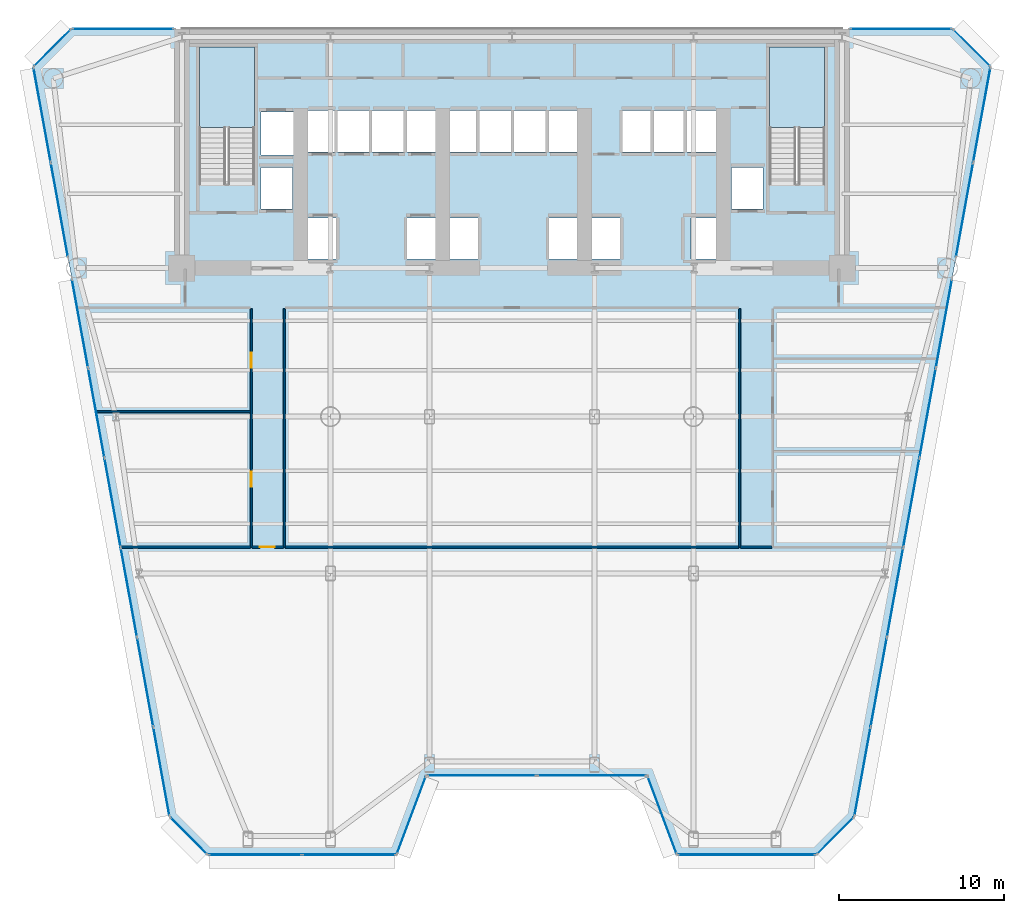
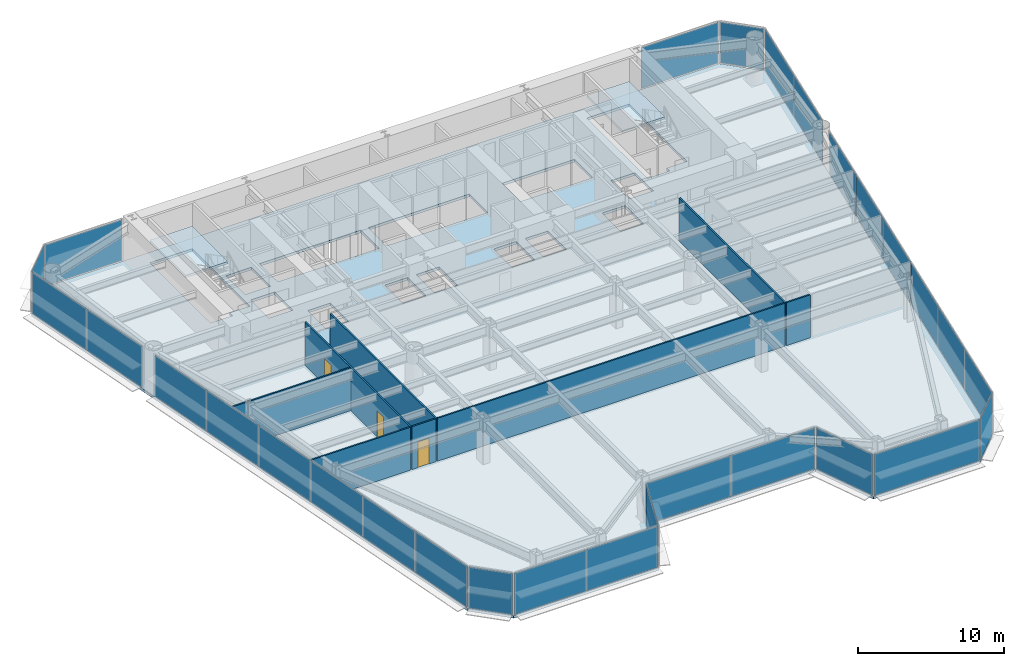
# One storey, part 7 of 14: 29 plates, 8 walls, 3 doors, 3 slabs, 3 openings, 17 elements without a shape of their own.
"""IFC4 building model written with IfcOpenShell, lengths in metres."""

from ifc_helpers import new_model, si_unit, direction, frame, frame_2d, origin, origin_2d, place, context, subcontext, project, spatial, polyline, rectangle, outline, extrude, source, transform, mapped, material, layer, layer_set, type_object, element, fill, aggregate, save


model = new_model("IFC4")

# Units and contexts
model_context = context("Model", 3, precision=1e-05, world=origin(), true_north=direction((0.0, 1.0)))
body_context = subcontext(model_context, "Body", "Model", "MODEL_VIEW")
ifc_project = project(units=[si_unit("LENGTHUNIT", "METRE"), si_unit("AREAUNIT", "SQUARE_METRE"), si_unit("VOLUMEUNIT", "CUBIC_METRE"), si_unit("PLANEANGLEUNIT", "RADIAN"), si_unit("MASSUNIT", "GRAM", prefix="KILO")], contexts=[model_context])

# Site, building, storey
site_placement = place(None, origin())
site = spatial("IfcSite", under=ifc_project, at=site_placement, CompositionType="ELEMENT")
building_placement = place(site_placement, origin())
building = spatial("IfcBuilding", under=site, at=building_placement, Name="Vaeldorn Concourse Tower", CompositionType="ELEMENT")
storey_placement = place(building_placement, frame((0.0, 0.0, 34.0)))
storey = spatial("IfcBuildingStorey", under=building, at=storey_placement, Name="L08", CompositionType="ELEMENT", Elevation=34.0)

# Stair, slab
ifc_material_1 = material(Name="Precast concrete C40/50", Category="concrete")
stair_type = type_object("IfcStairType", Name="STR-DOG-24x158", PredefinedType="HALF_TURN_STAIR", material=ifc_material_1)
stair_1_placement = place(storey_placement, origin())
stair_1 = element("IfcStair", 1, at=stair_1_placement, inside=storey, type_object=stair_type, Name="L08 West Core Exit Stair ST-1", PredefinedType="HALF_TURN_STAIR")
ifc_material_2 = material(Name="Concrete C40/50", Category="concrete")
ifc_layer_1 = layer(ifc_material_2, 0.199951171875)
ifc_layer_set_1 = layer_set([ifc_layer_1], Name="Concrete C40/50")
slab_type_1 = type_object("IfcSlabType", Name="SL-STAIR-LANDING", PredefinedType="LANDING", material=ifc_layer_set_1)
slab_1_placement = place(storey_placement, frame((0.0, 0.0, 1.699951171875)))
slab_1 = element("IfcSlab", 2, at=slab_1_placement, type_object=slab_type_1, Name="ST-1 landing 1", PredefinedType="LANDING", context=body_context, shape_type="SweptSolid", body=[
    extrude(outline(polyline([(18.39990234375, 45.010009765625), (18.39990234375, 49.89990234375), (15.050048828125, 49.89990234375), (15.050048828125, 45.010009765625), (18.39990234375, 45.010009765625)])), origin(), (0.0, 0.0, 1.0), 0.199951171875),
])
aggregate(stair_1, [slab_1])

stair_2_placement = place(storey_placement, origin())
stair_2 = element("IfcStair", 3, at=stair_2_placement, inside=storey, type_object=stair_type, Name="L08 East Core Exit Stair ST-2", PredefinedType="HALF_TURN_STAIR")
slab_2_placement = place(storey_placement, frame((0.0, 0.0, 1.699951171875)))
slab_2 = element("IfcSlab", 4, at=slab_2_placement, type_object=slab_type_1, Name="ST-2 landing 1", PredefinedType="LANDING", context=body_context, shape_type="SweptSolid", body=[
    extrude(outline(polyline([(52.949951171875, 45.010009765625), (52.949951171875, 49.89990234375), (49.60009765625, 49.89990234375), (49.60009765625, 45.010009765625), (52.949951171875, 45.010009765625)])), origin(), (0.0, 0.0, 1.0), 0.199951171875),
])
aggregate(stair_2, [slab_2])

# Slab
ifc_layer_2 = layer(ifc_material_2, 0.219970703125)
ifc_layer_set_2 = layer_set([ifc_layer_2], Name="Concrete C40/50")
slab_type_2 = type_object("IfcSlabType", Name="SL-TYP-220", PredefinedType="FLOOR", material=ifc_layer_set_2)
slab_3_placement = place(storey_placement, frame((0.0, 0.0, -0.219970703125)))
element("IfcSlab", 5, at=slab_3_placement, inside=storey, type_object=slab_type_2, Name="Structural Floor Slab L08", PredefinedType="FLOOR", context=body_context, shape_type="SweptSolid", body=[
    extrude(outline(polyline([(15.55712890625, 0.956298828125), (27.0, 0.956298828125), (28.800048828125, 5.75634765625), (42.199951171875, 5.75634765625), (44.0, 0.956298828125), (52.44287109375, 0.956298828125), (54.742919921875, 3.25634765625), (63.0, 48.699951171875), (60.699951171875, 51.0), (7.300048828125, 51.0), (5.0, 48.699951171875), (13.257080078125, 3.25634765625), (15.55712890625, 0.956298828125)]), holes=[polyline([(18.39990234375, 42.0), (18.39990234375, 49.89990234375), (15.050048828125, 49.89990234375), (15.050048828125, 41.60009765625), (16.800048828125, 41.60009765625), (16.800048828125, 42.0), (18.39990234375, 42.0)]), polyline([(52.949951171875, 42.0), (52.949951171875, 49.89990234375), (49.60009765625, 49.89990234375), (49.60009765625, 41.60009765625), (51.35009765625, 41.60009765625), (51.35009765625, 42.0), (52.949951171875, 42.0)]), polyline([(21.550048828125, 37.050048828125), (23.35009765625, 37.050048828125), (23.35009765625, 39.550048828125), (21.550048828125, 39.550048828125), (21.550048828125, 37.050048828125)]), polyline([(27.64990234375, 37.050048828125), (29.449951171875, 37.050048828125), (29.449951171875, 39.550048828125), (27.64990234375, 39.550048828125), (27.64990234375, 37.050048828125)]), polyline([(21.5, 43.550048828125), (29.5, 43.550048828125), (29.5, 46.050048828125), (21.5, 46.050048828125), (21.5, 43.550048828125)]), polyline([(30.14990234375, 37.050048828125), (31.949951171875, 37.050048828125), (31.949951171875, 39.550048828125), (30.14990234375, 39.550048828125), (30.14990234375, 37.050048828125)]), polyline([(36.25, 37.050048828125), (38.050048828125, 37.050048828125), (38.050048828125, 39.550048828125), (36.25, 39.550048828125), (36.25, 37.050048828125)]), polyline([(30.10009765625, 43.550048828125), (38.10009765625, 43.550048828125), (38.10009765625, 46.050048828125), (30.10009765625, 46.050048828125), (30.10009765625, 43.550048828125)]), polyline([(38.75, 37.050048828125), (40.550048828125, 37.050048828125), (40.550048828125, 39.550048828125), (38.75, 39.550048828125), (38.75, 37.050048828125)]), polyline([(44.85009765625, 37.050048828125), (46.64990234375, 37.050048828125), (46.64990234375, 39.550048828125), (44.85009765625, 39.550048828125), (44.85009765625, 37.050048828125)]), polyline([(40.699951171875, 43.550048828125), (46.39990234375, 43.550048828125), (46.39990234375, 46.050048828125), (40.699951171875, 46.050048828125), (40.699951171875, 43.550048828125)]), polyline([(18.800048828125, 43.35009765625), (20.800048828125, 43.35009765625), (20.800048828125, 45.949951171875), (18.800048828125, 45.949951171875), (18.800048828125, 43.35009765625)]), polyline([(18.800048828125, 40.10009765625), (20.699951171875, 40.10009765625), (20.699951171875, 42.60009765625), (18.800048828125, 42.60009765625), (18.800048828125, 40.10009765625)]), polyline([(47.300048828125, 40.10009765625), (49.199951171875, 40.10009765625), (49.199951171875, 42.60009765625), (47.300048828125, 42.60009765625), (47.300048828125, 40.10009765625)])]), origin(), (0.0, 0.0, 1.0), 0.219970703125),
])

# Curtain wall, plate
ifc_material_3 = material(Name="Anodised Bronze Aluminium", Category="aluminium")
ifc_layer_3 = layer(ifc_material_3, 0.219970703125)
ifc_layer_set_3 = layer_set([ifc_layer_3], Name="Anodised Bronze Aluminium")
curtain_wall_type = type_object("IfcCurtainWallType", Name="CW-SYS-01", PredefinedType="NOTDEFINED", material=ifc_layer_set_3)
curtain_wall_1_placement = place(storey_placement, origin())
curtain_wall_1 = element("IfcCurtainWall", 6, at=curtain_wall_1_placement, inside=storey, type_object=curtain_wall_type, Name="Unitised Curtain Wall CW-L08-E02-1", PredefinedType="NOTDEFINED")
ifc_material_4 = material(Name="Bronze Tinted Low-E Insulated Glass", Category="glass")
ifc_layer_4 = layer(ifc_material_4, 0.031982421875)
ifc_layer_set_4 = layer_set([ifc_layer_4], Name="Bronze Tinted Low-E Insulated Glass")
plate_type = type_object("IfcPlateType", Name="CWP-VISION-32", PredefinedType="CURTAIN_PANEL", material=ifc_layer_set_4)
shared_shape_1 = source(origin(), body_context, "Body", "SweptSolid", [
    extrude(rectangle(XDim=4.976318359375, YDim=0.031982421875, at=origin_2d()), origin(), (0.0, 0.0, 1.0), 3.429931640625),
])
plate_1_placement = place(storey_placement, frame((27.89990234375, 3.356201171875, 0.0751953125), z_axis=(0.0, 0.0, 1.0), x_axis=(0.351123441595, 0.936329177566, 0.0)))
plate_1 = element("IfcPlate", 7, at=plate_1_placement, type_object=plate_type, Name="CW-01 panel 1.1", PredefinedType="CURTAIN_PANEL", context=body_context, shape_type="MappedRepresentation", body=[
    mapped(shared_shape_1, transform((0.0, 0.0, 0.0), scale=1.0)),
])
aggregate(curtain_wall_1, [plate_1])

curtain_wall_2_placement = place(storey_placement, origin())
curtain_wall_2 = element("IfcCurtainWall", 8, at=curtain_wall_2_placement, inside=storey, type_object=curtain_wall_type, Name="Unitised Curtain Wall CW-L08-E04-1", PredefinedType="NOTDEFINED")
plate_2_placement = place(storey_placement, frame((43.10009765625, 3.356201171875, 0.0751953125), z_axis=(0.0, 0.0, 1.0), x_axis=(0.351123441595, -0.936329177566, 0.0)))
plate_2 = element("IfcPlate", 9, at=plate_2_placement, type_object=plate_type, Name="CW-01 panel 1.1", PredefinedType="CURTAIN_PANEL", context=body_context, shape_type="MappedRepresentation", body=[
    mapped(shared_shape_1, transform((0.0, 0.0, 0.0), scale=1.0)),
])
aggregate(curtain_wall_2, [plate_2])

# Curtain wall, plates
curtain_wall_3_placement = place(storey_placement, origin())
curtain_wall_3 = element("IfcCurtainWall", 10, at=curtain_wall_3_placement, inside=storey, type_object=curtain_wall_type, Name="Unitised Curtain Wall CW-L08-E03-1", PredefinedType="NOTDEFINED")
shared_shape_2 = source(origin(), body_context, "Body", "SweptSolid", [
    extrude(rectangle(XDim=6.58740234375, YDim=0.031982421875, at=origin_2d()), origin(), (0.0, 0.0, 1.0), 3.429931640625),
])
plate_3_placement = place(storey_placement, frame((32.168701171875, 5.75634765625, 0.0751953125), z_axis=(0.0, 0.0, 1.0), x_axis=(1.0, 0.0, 0.0)))
plate_3 = element("IfcPlate", 11, at=plate_3_placement, type_object=plate_type, Name="CW-01 panel 1.1", PredefinedType="CURTAIN_PANEL", context=body_context, shape_type="MappedRepresentation", body=[
    mapped(shared_shape_2, transform((0.0, 0.0, 0.0), scale=1.0)),
])
plate_4_placement = place(storey_placement, frame((38.831298828125, 5.75634765625, 0.0751953125), z_axis=(0.0, 0.0, 1.0), x_axis=(1.0, 0.0, 0.0)))
plate_4 = element("IfcPlate", 12, at=plate_4_placement, type_object=plate_type, Name="CW-01 panel 2.1", PredefinedType="CURTAIN_PANEL", context=body_context, shape_type="MappedRepresentation", body=[
    mapped(shared_shape_2, transform((0.0, 0.0, 0.0), scale=1.0)),
])
aggregate(curtain_wall_3, [plate_3, plate_4])

# Curtain wall, plate
curtain_wall_4_placement = place(storey_placement, origin())
curtain_wall_4 = element("IfcCurtainWall", 13, at=curtain_wall_4_placement, inside=storey, type_object=curtain_wall_type, Name="Unitised Curtain Wall CW-L08-E06-1", PredefinedType="NOTDEFINED")
shared_shape_3 = source(origin(), body_context, "Body", "SweptSolid", [
    extrude(rectangle(XDim=3.102783203125, YDim=0.031982421875, at=origin_2d()), origin(), (0.0, 0.0, 1.0), 3.429931640625),
])
plate_5_placement = place(storey_placement, frame((53.5927734375, 2.106201171875, 0.0751953125), z_axis=(0.0, 0.0, 1.0), x_axis=(0.707106781187, 0.707106781187, 0.0)))
plate_5 = element("IfcPlate", 14, at=plate_5_placement, type_object=plate_type, Name="CW-01 panel 1.1", PredefinedType="CURTAIN_PANEL", context=body_context, shape_type="MappedRepresentation", body=[
    mapped(shared_shape_3, transform((0.0, 0.0, 0.0), scale=1.0)),
])
aggregate(curtain_wall_4, [plate_5])

curtain_wall_5_placement = place(storey_placement, origin())
curtain_wall_5 = element("IfcCurtainWall", 15, at=curtain_wall_5_placement, inside=storey, type_object=curtain_wall_type, Name="Unitised Curtain Wall CW-L08-E08-1", PredefinedType="NOTDEFINED")
plate_6_placement = place(storey_placement, frame((61.85009765625, 49.85009765625, 0.0751953125), z_axis=(0.0, 0.0, 1.0), x_axis=(-0.707106781187, 0.707106781187, 0.0)))
plate_6 = element("IfcPlate", 16, at=plate_6_placement, type_object=plate_type, Name="CW-01 panel 1.1", PredefinedType="CURTAIN_PANEL", context=body_context, shape_type="MappedRepresentation", body=[
    mapped(shared_shape_3, transform((0.0, 0.0, 0.0), scale=1.0)),
])
aggregate(curtain_wall_5, [plate_6])

curtain_wall_6_placement = place(storey_placement, origin())
curtain_wall_6 = element("IfcCurtainWall", 17, at=curtain_wall_6_placement, inside=storey, type_object=curtain_wall_type, Name="Unitised Curtain Wall CW-L08-E10-1", PredefinedType="NOTDEFINED")
plate_7_placement = place(storey_placement, frame((6.14990234375, 49.85009765625, 0.0751953125), z_axis=(0.0, 0.0, 1.0), x_axis=(-0.707106781187, -0.707106781187, 0.0)))
plate_7 = element("IfcPlate", 18, at=plate_7_placement, type_object=plate_type, Name="CW-01 panel 1.1", PredefinedType="CURTAIN_PANEL", context=body_context, shape_type="MappedRepresentation", body=[
    mapped(shared_shape_3, transform((0.0, 0.0, 0.0), scale=1.0)),
])
aggregate(curtain_wall_6, [plate_7])

curtain_wall_7_placement = place(storey_placement, origin())
curtain_wall_7 = element("IfcCurtainWall", 19, at=curtain_wall_7_placement, inside=storey, type_object=curtain_wall_type, Name="Unitised Curtain Wall CW-L08-E12-1", PredefinedType="NOTDEFINED")
plate_8_placement = place(storey_placement, frame((14.4072265625, 2.106201171875, 0.0751953125), z_axis=(0.0, 0.0, 1.0), x_axis=(0.707106781187, -0.707106781187, 0.0)))
plate_8 = element("IfcPlate", 20, at=plate_8_placement, type_object=plate_type, Name="CW-01 panel 1.1", PredefinedType="CURTAIN_PANEL", context=body_context, shape_type="MappedRepresentation", body=[
    mapped(shared_shape_3, transform((0.0, 0.0, 0.0), scale=1.0)),
])
aggregate(curtain_wall_7, [plate_8])

curtain_wall_8_placement = place(storey_placement, origin())
curtain_wall_8 = element("IfcCurtainWall", 21, at=curtain_wall_8_placement, inside=storey, type_object=curtain_wall_type, Name="Unitised Curtain Wall CW-L08-E09-1", PredefinedType="NOTDEFINED")
shared_shape_4 = source(origin(), body_context, "Body", "SweptSolid", [
    extrude(rectangle(XDim=6.10498046875, YDim=0.031982421875, at=origin_2d()), origin(), (0.0, 0.0, 1.0), 3.429931640625),
])
plate_9_placement = place(storey_placement, frame((57.572509765625, 51.0, 0.0751953125), z_axis=(0.0, 0.0, 1.0), x_axis=(-1.0, 0.0, 0.0)))
plate_9 = element("IfcPlate", 22, at=plate_9_placement, type_object=plate_type, Name="CW-01 panel 1.1", PredefinedType="CURTAIN_PANEL", context=body_context, shape_type="MappedRepresentation", body=[
    mapped(shared_shape_4, transform((0.0, 0.0, 0.0), scale=1.0)),
])
aggregate(curtain_wall_8, [plate_9])

curtain_wall_9_placement = place(storey_placement, origin())
curtain_wall_9 = element("IfcCurtainWall", 23, at=curtain_wall_9_placement, inside=storey, type_object=curtain_wall_type, Name="Unitised Curtain Wall CW-L08-E09-2", PredefinedType="NOTDEFINED")
plate_10_placement = place(storey_placement, frame((10.427490234375, 51.0, 0.0751953125), z_axis=(0.0, 0.0, 1.0), x_axis=(-1.0, 0.0, 0.0)))
plate_10 = element("IfcPlate", 24, at=plate_10_placement, type_object=plate_type, Name="CW-01 panel 1.1", PredefinedType="CURTAIN_PANEL", context=body_context, shape_type="MappedRepresentation", body=[
    mapped(shared_shape_4, transform((0.0, 0.0, 0.0), scale=1.0)),
])
aggregate(curtain_wall_9, [plate_10])

# Curtain wall, plates
curtain_wall_10_placement = place(storey_placement, origin())
curtain_wall_10 = element("IfcCurtainWall", 25, at=curtain_wall_10_placement, inside=storey, type_object=curtain_wall_type, Name="Unitised Curtain Wall CW-L08-E07-2", PredefinedType="NOTDEFINED")
shared_shape_5 = source(origin(), body_context, "Body", "SweptSolid", [
    extrude(rectangle(XDim=5.7724609375, YDim=0.031982421875, at=origin_2d()), origin(), (0.0, 0.0, 1.0), 3.429931640625),
])
plate_11_placement = place(storey_placement, frame((61.42529296875, 40.032958984375, 0.0751953125), z_axis=(0.0, 0.0, 1.0), x_axis=(0.17877478396, 0.983890022625, 0.0)))
plate_11 = element("IfcPlate", 26, at=plate_11_placement, type_object=plate_type, Name="CW-01 panel 1.1", PredefinedType="CURTAIN_PANEL", context=body_context, shape_type="MappedRepresentation", body=[
    mapped(shared_shape_5, transform((0.0, 0.0, 0.0), scale=1.0)),
])
plate_12_placement = place(storey_placement, frame((62.470703125, 45.786376953125, 0.0751953125), z_axis=(0.0, 0.0, 1.0), x_axis=(0.17877478396, 0.983890022625, 0.0)))
plate_12 = element("IfcPlate", 27, at=plate_12_placement, type_object=plate_type, Name="CW-01 panel 2.1", PredefinedType="CURTAIN_PANEL", context=body_context, shape_type="MappedRepresentation", body=[
    mapped(shared_shape_5, transform((0.0, 0.0, 0.0), scale=1.0)),
])
aggregate(curtain_wall_10, [plate_11, plate_12])

curtain_wall_11_placement = place(storey_placement, origin())
curtain_wall_11 = element("IfcCurtainWall", 28, at=curtain_wall_11_placement, inside=storey, type_object=curtain_wall_type, Name="Unitised Curtain Wall CW-L08-E11-1", PredefinedType="NOTDEFINED")
plate_13_placement = place(storey_placement, frame((5.529296875, 45.786376953125, 0.0751953125), z_axis=(0.0, 0.0, 1.0), x_axis=(0.17877478396, -0.983890022625, 0.0)))
plate_13 = element("IfcPlate", 29, at=plate_13_placement, type_object=plate_type, Name="CW-01 panel 1.1", PredefinedType="CURTAIN_PANEL", context=body_context, shape_type="MappedRepresentation", body=[
    mapped(shared_shape_5, transform((0.0, 0.0, 0.0), scale=1.0)),
])
plate_14_placement = place(storey_placement, frame((6.57470703125, 40.032958984375, 0.0751953125), z_axis=(0.0, 0.0, 1.0), x_axis=(0.17877478396, -0.983890022625, 0.0)))
plate_14 = element("IfcPlate", 30, at=plate_14_placement, type_object=plate_type, Name="CW-01 panel 2.1", PredefinedType="CURTAIN_PANEL", context=body_context, shape_type="MappedRepresentation", body=[
    mapped(shared_shape_5, transform((0.0, 0.0, 0.0), scale=1.0)),
])
aggregate(curtain_wall_11, [plate_13, plate_14])

curtain_wall_12_placement = place(storey_placement, origin())
curtain_wall_12 = element("IfcCurtainWall", 31, at=curtain_wall_12_placement, inside=storey, type_object=curtain_wall_type, Name="Unitised Curtain Wall CW-L08-E01-1", PredefinedType="NOTDEFINED")
shared_shape_6 = source(origin(), body_context, "Body", "SweptSolid", [
    extrude(rectangle(XDim=5.60888671875, YDim=0.031982421875, at=origin_2d()), origin(), (0.0, 0.0, 1.0), 3.429931640625),
])
plate_15_placement = place(storey_placement, frame((18.436767578125, 0.956298828125, 0.0751953125), z_axis=(0.0, 0.0, 1.0), x_axis=(1.0, 0.0, 0.0)))
plate_15 = element("IfcPlate", 32, at=plate_15_placement, type_object=plate_type, Name="CW-01 panel 1.1", PredefinedType="CURTAIN_PANEL", context=body_context, shape_type="MappedRepresentation", body=[
    mapped(shared_shape_6, transform((0.0, 0.0, 0.0), scale=1.0)),
])
plate_16_placement = place(storey_placement, frame((24.12060546875, 0.956298828125, 0.0751953125), z_axis=(0.0, 0.0, 1.0), x_axis=(1.0, 0.0, 0.0)))
plate_16 = element("IfcPlate", 33, at=plate_16_placement, type_object=plate_type, Name="CW-01 panel 2.1", PredefinedType="CURTAIN_PANEL", context=body_context, shape_type="MappedRepresentation", body=[
    mapped(shared_shape_6, transform((0.0, 0.0, 0.0), scale=1.0)),
])
aggregate(curtain_wall_12, [plate_15, plate_16])

# Curtain wall, plate
curtain_wall_13_placement = place(storey_placement, origin())
curtain_wall_13 = element("IfcCurtainWall", 34, at=curtain_wall_13_placement, inside=storey, type_object=curtain_wall_type, Name="Unitised Curtain Wall CW-L08-E05-1", PredefinedType="NOTDEFINED")
shared_shape_7 = source(origin(), body_context, "Body", "SweptSolid", [
    extrude(rectangle(XDim=8.292724609375, YDim=0.031982421875, at=origin_2d()), origin(), (0.0, 0.0, 1.0), 3.429931640625),
])
plate_17_placement = place(storey_placement, frame((48.221435546875, 0.956298828125, 0.0751953125), z_axis=(0.0, 0.0, 1.0), x_axis=(1.0, 0.0, 0.0)))
plate_17 = element("IfcPlate", 35, at=plate_17_placement, type_object=plate_type, Name="CW-01 panel 1.1", PredefinedType="CURTAIN_PANEL", context=body_context, shape_type="MappedRepresentation", body=[
    mapped(shared_shape_7, transform((0.0, 0.0, 0.0), scale=1.0)),
])
aggregate(curtain_wall_13, [plate_17])

# Curtain wall, plates
curtain_wall_14_placement = place(storey_placement, origin())
curtain_wall_14 = element("IfcCurtainWall", 36, at=curtain_wall_14_placement, inside=storey, type_object=curtain_wall_type, Name="Unitised Curtain Wall CW-L08-E07-1", PredefinedType="NOTDEFINED")
shared_shape_8 = source(origin(), body_context, "Body", "SweptSolid", [
    extrude(rectangle(XDim=5.413818359375, YDim=0.031982421875, at=origin_2d()), origin(), (0.0, 0.0, 1.0), 3.429931640625),
])
plate_18_placement = place(storey_placement, frame((55.240234375, 5.993408203125, 0.0751953125), z_axis=(0.0, 0.0, 1.0), x_axis=(0.17877529902, 0.983889929037, 0.0)))
plate_18 = element("IfcPlate", 37, at=plate_18_placement, type_object=plate_type, Name="CW-01 panel 1.1", PredefinedType="CURTAIN_PANEL", context=body_context, shape_type="MappedRepresentation", body=[
    mapped(shared_shape_8, transform((0.0, 0.0, 0.0), scale=1.0)),
])
plate_19_placement = place(storey_placement, frame((60.17333984375, 33.143310546875, 0.0751953125), z_axis=(0.0, 0.0, 1.0), x_axis=(0.17877529902, 0.983889929037, 0.0)))
plate_19 = element("IfcPlate", 38, at=plate_19_placement, type_object=plate_type, Name="CW-01 panel 6.1", PredefinedType="CURTAIN_PANEL", context=body_context, shape_type="MappedRepresentation", body=[
    mapped(shared_shape_8, transform((0.0, 0.0, 0.0), scale=1.0)),
])

curtain_wall_15_placement = place(storey_placement, origin())
curtain_wall_15 = element("IfcCurtainWall", 39, at=curtain_wall_15_placement, inside=storey, type_object=curtain_wall_type, Name="Unitised Curtain Wall CW-L08-E11-2", PredefinedType="NOTDEFINED")
plate_20_placement = place(storey_placement, frame((7.82666015625, 33.143310546875, 0.0751953125), z_axis=(0.0, 0.0, 1.0), x_axis=(0.17877529902, -0.983889929037, 0.0)))
plate_20 = element("IfcPlate", 40, at=plate_20_placement, type_object=plate_type, Name="CW-01 panel 1.1", PredefinedType="CURTAIN_PANEL", context=body_context, shape_type="MappedRepresentation", body=[
    mapped(shared_shape_8, transform((0.0, 0.0, 0.0), scale=1.0)),
])
plate_21_placement = place(storey_placement, frame((12.759765625, 5.993408203125, 0.0751953125), z_axis=(0.0, 0.0, 1.0), x_axis=(0.17877529902, -0.983889929037, 0.0)))
plate_21 = element("IfcPlate", 41, at=plate_21_placement, type_object=plate_type, Name="CW-01 panel 6.1", PredefinedType="CURTAIN_PANEL", context=body_context, shape_type="MappedRepresentation", body=[
    mapped(shared_shape_8, transform((0.0, 0.0, 0.0), scale=1.0)),
])

# Plate
shared_shape_9 = source(origin(), body_context, "Body", "SweptSolid", [
    extrude(rectangle(XDim=5.451416015625, YDim=0.031982421875, at=origin_2d()), origin(), (0.0, 0.0, 1.0), 3.429931640625),
])
plate_22_placement = place(storey_placement, frame((56.224853515625, 11.412353515625, 0.0751953125), z_axis=(0.0, 0.0, 1.0), x_axis=(0.17877529902, 0.983889929037, 0.0)))
plate_22 = element("IfcPlate", 42, at=plate_22_placement, type_object=plate_type, Name="CW-01 panel 2.1", PredefinedType="CURTAIN_PANEL", context=body_context, shape_type="MappedRepresentation", body=[
    mapped(shared_shape_9, transform((0.0, 0.0, 0.0), scale=1.0)),
])

plate_23_placement = place(storey_placement, frame((57.212646484375, 16.849609375, 0.0751953125), z_axis=(0.0, 0.0, 1.0), x_axis=(0.17877529902, 0.983889929037, 0.0)))
plate_23 = element("IfcPlate", 43, at=plate_23_placement, type_object=plate_type, Name="CW-01 panel 3.1", PredefinedType="CURTAIN_PANEL", context=body_context, shape_type="MappedRepresentation", body=[
    mapped(shared_shape_9, transform((0.0, 0.0, 0.0), scale=1.0)),
])

plate_24_placement = place(storey_placement, frame((58.20068359375, 22.287109375, 0.0751953125), z_axis=(0.0, 0.0, 1.0), x_axis=(0.17877529902, 0.983889929037, 0.0)))
plate_24 = element("IfcPlate", 44, at=plate_24_placement, type_object=plate_type, Name="CW-01 panel 4.1", PredefinedType="CURTAIN_PANEL", context=body_context, shape_type="MappedRepresentation", body=[
    mapped(shared_shape_9, transform((0.0, 0.0, 0.0), scale=1.0)),
])

plate_25_placement = place(storey_placement, frame((59.188720703125, 27.724365234375, 0.0751953125), z_axis=(0.0, 0.0, 1.0), x_axis=(0.17877529902, 0.983889929037, 0.0)))
plate_25 = element("IfcPlate", 45, at=plate_25_placement, type_object=plate_type, Name="CW-01 panel 5.1", PredefinedType="CURTAIN_PANEL", context=body_context, shape_type="MappedRepresentation", body=[
    mapped(shared_shape_9, transform((0.0, 0.0, 0.0), scale=1.0)),
])

aggregate(curtain_wall_14, [plate_18, plate_22, plate_23, plate_24, plate_25, plate_19])

plate_26_placement = place(storey_placement, frame((8.811279296875, 27.724365234375, 0.0751953125), z_axis=(0.0, 0.0, 1.0), x_axis=(0.17877529902, -0.983889929037, 0.0)))
plate_26 = element("IfcPlate", 46, at=plate_26_placement, type_object=plate_type, Name="CW-01 panel 2.1", PredefinedType="CURTAIN_PANEL", context=body_context, shape_type="MappedRepresentation", body=[
    mapped(shared_shape_9, transform((0.0, 0.0, 0.0), scale=1.0)),
])

plate_27_placement = place(storey_placement, frame((9.79931640625, 22.287109375, 0.0751953125), z_axis=(0.0, 0.0, 1.0), x_axis=(0.17877529902, -0.983889929037, 0.0)))
plate_27 = element("IfcPlate", 47, at=plate_27_placement, type_object=plate_type, Name="CW-01 panel 3.1", PredefinedType="CURTAIN_PANEL", context=body_context, shape_type="MappedRepresentation", body=[
    mapped(shared_shape_9, transform((0.0, 0.0, 0.0), scale=1.0)),
])

plate_28_placement = place(storey_placement, frame((10.787353515625, 16.849609375, 0.0751953125), z_axis=(0.0, 0.0, 1.0), x_axis=(0.17877529902, -0.983889929037, 0.0)))
plate_28 = element("IfcPlate", 48, at=plate_28_placement, type_object=plate_type, Name="CW-01 panel 4.1", PredefinedType="CURTAIN_PANEL", context=body_context, shape_type="MappedRepresentation", body=[
    mapped(shared_shape_9, transform((0.0, 0.0, 0.0), scale=1.0)),
])

plate_29_placement = place(storey_placement, frame((11.775146484375, 11.412353515625, 0.0751953125), z_axis=(0.0, 0.0, 1.0), x_axis=(0.17877529902, -0.983889929037, 0.0)))
plate_29 = element("IfcPlate", 49, at=plate_29_placement, type_object=plate_type, Name="CW-01 panel 5.1", PredefinedType="CURTAIN_PANEL", context=body_context, shape_type="MappedRepresentation", body=[
    mapped(shared_shape_9, transform((0.0, 0.0, 0.0), scale=1.0)),
])

aggregate(curtain_wall_15, [plate_20, plate_26, plate_27, plate_28, plate_29, plate_21])

# Wall, openings, doors
ifc_material_5 = material(Name="Gypsum Board Partition", Category="gypsum")
ifc_layer_5 = layer(ifc_material_5, 0.1201171875)
ifc_layer_set_5 = layer_set([ifc_layer_5], Name="Gypsum Board Partition")
wall_type = type_object("IfcWallType", Name="WL-PART-120", PredefinedType="PARTITIONING", material=ifc_layer_set_5)
wall_1_placement = place(storey_placement, frame((18.199951171875, 19.60009765625, 0.0), z_axis=(0.0, 0.0, 1.0), x_axis=(0.0, 1.0, 0.0)))
wall_1 = element("IfcWall", 50, at=wall_1_placement, inside=storey, type_object=wall_type, Name="Interior Wall PW-L08-CWW", PredefinedType="PARTITIONING", context=body_context, shape_type="SweptSolid", body=[
    extrude(rectangle(XDim=14.43994140625, YDim=0.1201171875, at=frame_2d((7.219970703125, 0.0))), origin(), (0.0, 0.0, 1.0), 3.580078125),
])
opening_1_placement = place(wall_1_placement, frame((3.64990234375, 0.0, 0.0)))
opening_1 = element("IfcOpeningElement", 51, at=opening_1_placement, cuts=wall_1, Name="Opening D-03", PredefinedType="OPENING", context=body_context, shape_type="SweptSolid", body=[
    extrude(rectangle(XDim=0.89990234375, YDim=2.14990234375, at=frame_2d((0.449951171875, 1.074951171875))), frame((0.0, 0.070068359375, 0.0), z_axis=(0.0, -1.0, 0.0), x_axis=(1.0, 0.0, 0.0)), (0.0, 0.0, 1.0), 0.14013671875),
])
opening_2_placement = place(wall_1_placement, frame((10.8701171875, 0.0, 0.0)))
opening_2 = element("IfcOpeningElement", 52, at=opening_2_placement, cuts=wall_1, Name="Opening D-03", PredefinedType="OPENING", context=body_context, shape_type="SweptSolid", body=[
    extrude(rectangle(XDim=0.89990234375, YDim=2.14990234375, at=frame_2d((0.449951171875, 1.074951171875))), frame((0.0, 0.070068359375, 0.0), z_axis=(0.0, -1.0, 0.0), x_axis=(1.0, 0.0, 0.0)), (0.0, 0.0, 1.0), 0.14013671875),
])
ifc_material_6 = material(Name="Acoustic Bronze-Framed Glass Door", Category="glass")
door_type = type_object("IfcDoorType", Name="DR-INT-900", OperationType="NOTDEFINED", PredefinedType="DOOR", material=ifc_material_6)
shared_shape_10 = source(origin(), body_context, "Body", "SweptSolid", [
    extrude(rectangle(XDim=0.89990234375, YDim=2.14990234375, at=frame_2d((0.449951171875, 1.074951171875))), frame((0.0, 0.02490234375, 0.0), z_axis=(0.0, -1.0, 0.0), x_axis=(1.0, 0.0, 0.0)), (0.0, 0.0, 1.0), 0.050048828125),
])
door_1_placement = place(opening_1_placement, origin())
door_1 = element("IfcDoor", 53, at=door_1_placement, inside=storey, type_object=door_type, Name="Interior Door DR-L08-W1", OperationType="SINGLE_SWING_LEFT", OverallHeight=2.14990234375, OverallWidth=0.89990234375, PredefinedType="DOOR", context=body_context, shape_type="MappedRepresentation", body=[
    mapped(shared_shape_10, transform((0.0, 0.0, 0.0), scale=1.0)),
])
fill(opening_1, door_1)
door_2_placement = place(opening_2_placement, origin())
door_2 = element("IfcDoor", 54, at=door_2_placement, inside=storey, type_object=door_type, Name="Interior Door DR-L08-W2", OperationType="SINGLE_SWING_RIGHT", OverallHeight=2.14990234375, OverallWidth=0.89990234375, PredefinedType="DOOR", context=body_context, shape_type="MappedRepresentation", body=[
    mapped(shared_shape_10, transform((0.0, 0.0, 0.0), scale=1.0)),
])
fill(opening_2, door_2)

# Walls
for number, where, z_axis, x_axis, name in (
    (55, (20.199951171875, 19.60009765625, 0.0), (0.0, 0.0, 1.0), (0.0, 1.0, 0.0), "Interior Wall PW-L08-CWE"),
    (56, (47.800048828125, 19.60009765625, 0.0), (0.0, 0.0, 1.0), (0.0, 1.0, 0.0), "Interior Wall PW-L08-CEW"),
):
    element("IfcWall", number, at=place(storey_placement, frame(where, z_axis=z_axis, x_axis=x_axis)), inside=storey, type_object=wall_type, Name=name, PredefinedType="PARTITIONING", context=body_context, shape_type="SweptSolid", body=[
        extrude(rectangle(XDim=14.43994140625, YDim=0.1201171875, at=frame_2d((7.219970703125, 0.0))), origin(), (0.0, 0.0, 1.0), 3.580078125),
    ])

# Wall, opening, door
wall_2_placement = place(storey_placement, frame((18.260009765625, 19.60009765625, 0.0), z_axis=(0.0, 0.0, 1.0), x_axis=(1.0, 0.0, 0.0)))
wall_2 = element("IfcWall", 57, at=wall_2_placement, inside=storey, type_object=wall_type, Name="Interior Wall PW-L08-CWS", PredefinedType="PARTITIONING", context=body_context, shape_type="SweptSolid", body=[
    extrude(rectangle(XDim=1.8798828125, YDim=0.1201171875, at=frame_2d((0.93994140625, 0.0))), origin(), (0.0, 0.0, 1.0), 3.580078125),
])
opening_3_placement = place(wall_2_placement, frame((0.449951171875, 0.0, 0.0)))
opening_3 = element("IfcOpeningElement", 58, at=opening_3_placement, cuts=wall_2, Name="Opening D-03", PredefinedType="OPENING", context=body_context, shape_type="SweptSolid", body=[
    extrude(rectangle(XDim=0.89990234375, YDim=2.14990234375, at=frame_2d((0.449951171875, 1.074951171875))), frame((0.0, 0.070068359375, 0.0), z_axis=(0.0, -1.0, 0.0), x_axis=(1.0, 0.0, 0.0)), (0.0, 0.0, 1.0), 0.14013671875),
])
door_3_placement = place(opening_3_placement, origin())
door_3 = element("IfcDoor", 59, at=door_3_placement, inside=storey, type_object=door_type, Name="Interior Door DR-L08-SWL", OperationType="SINGLE_SWING_LEFT", OverallHeight=2.14990234375, OverallWidth=0.89990234375, PredefinedType="DOOR", context=body_context, shape_type="MappedRepresentation", body=[
    mapped(shared_shape_10, transform((0.0, 0.0, 0.0), scale=1.0)),
])
fill(opening_3, door_3)

# Walls
wall_3_placement = place(storey_placement, frame((47.860107421875, 19.60009765625, 0.0), z_axis=(0.0, 0.0, 1.0), x_axis=(1.0, 0.0, 0.0)))
element("IfcWall", 60, at=wall_3_placement, inside=storey, type_object=wall_type, Name="Interior Wall PW-L08-CES", PredefinedType="PARTITIONING", context=body_context, shape_type="SweptSolid", body=[
    extrude(rectangle(XDim=1.8798828125, YDim=0.1201171875, at=frame_2d((0.93994140625, 0.0))), origin(), (0.0, 0.0, 1.0), 3.580078125),
])
wall_4_placement = place(storey_placement, frame((10.327392578125, 19.60009765625, 0.0), z_axis=(0.0, 0.0, 1.0), x_axis=(1.0, 0.0, 0.0)))
element("IfcWall", 61, at=wall_4_placement, inside=storey, type_object=wall_type, Name="Interior Wall PW-L08-WY0", PredefinedType="PARTITIONING", context=body_context, shape_type="SweptSolid", body=[
    extrude(rectangle(XDim=7.8125, YDim=0.1201171875, at=frame_2d((3.90625, 0.0))), origin(), (0.0, 0.0, 1.0), 3.580078125),
])
wall_5_placement = place(storey_placement, frame((8.837646484375, 27.800048828125, 0.0), z_axis=(0.0, 0.0, 1.0), x_axis=(1.0, 0.0, 0.0)))
element("IfcWall", 62, at=wall_5_placement, inside=storey, type_object=wall_type, Name="Interior Wall PW-L08-WY1", PredefinedType="PARTITIONING", context=body_context, shape_type="SweptSolid", body=[
    extrude(rectangle(XDim=9.30224609375, YDim=0.1201171875, at=frame_2d((4.651123046875, 0.0))), origin(), (0.0, 0.0, 1.0), 3.580078125),
])
wall_6_placement = place(storey_placement, frame((20.260009765625, 19.60009765625, 0.0), z_axis=(0.0, 0.0, 1.0), x_axis=(1.0, 0.0, 0.0)))
element("IfcWall", 63, at=wall_6_placement, inside=storey, type_object=wall_type, Name="Interior Wall PW-L08-HUBS", PredefinedType="PARTITIONING", context=body_context, shape_type="SweptSolid", body=[
    extrude(rectangle(XDim=27.47998046875, YDim=0.1201171875, at=frame_2d((13.739990234375, 0.0))), origin(), (0.0, 0.0, 1.0), 3.580078125),
])

save(model, "model.ifc")
